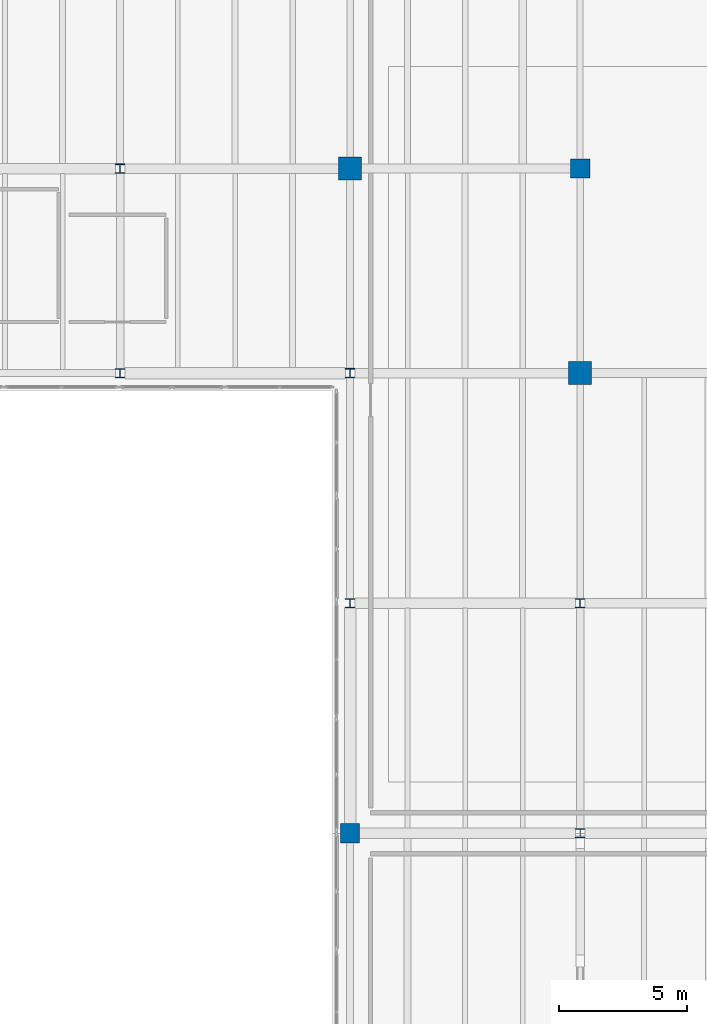
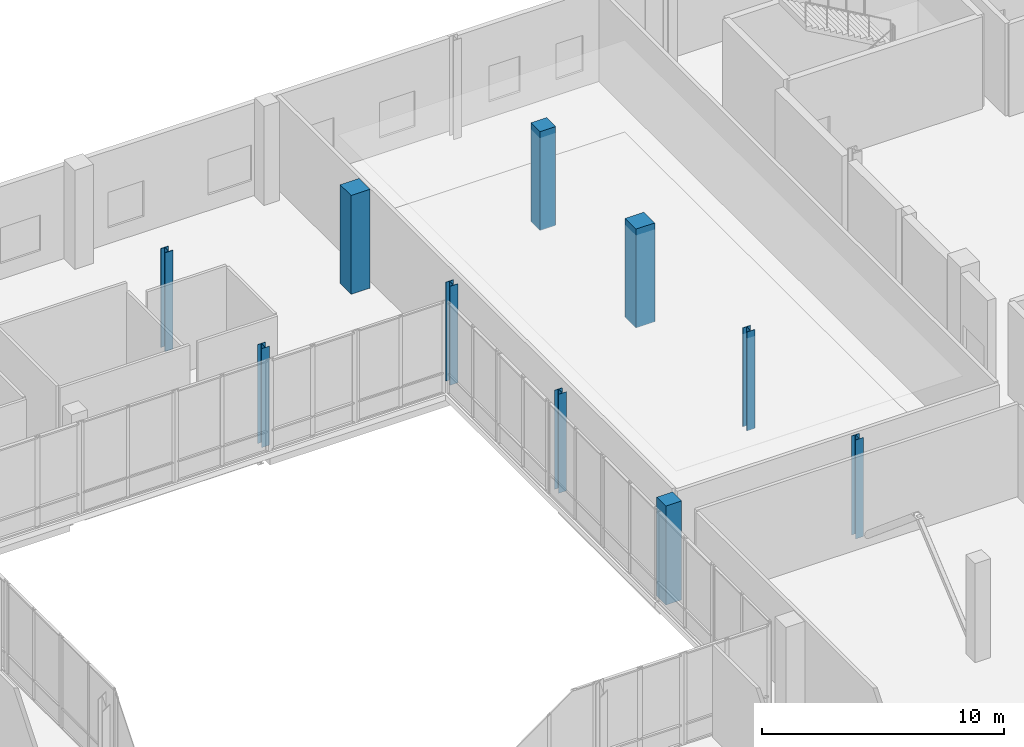
# One storey, part 8 of 81: 10 columns.
"""IFC4 building model written with IfcOpenShell, lengths in metres."""

from ifc_helpers import new_model, si_unit, direction, frame, origin, origin_2d, place, context, subcontext, project, spatial, rectangle, i_section, extrude, material, material_profile, profile_set, type_object, element, save


model = new_model("IFC4")

# Units and contexts
model_context = context("Model", 3, precision=1e-05, world=origin(), true_north=direction((0.0, 1.0)))
body_context = subcontext(model_context, "Body", "Model", "MODEL_VIEW")
ifc_project = project(units=[si_unit("LENGTHUNIT", "METRE"), si_unit("AREAUNIT", "SQUARE_METRE"), si_unit("VOLUMEUNIT", "CUBIC_METRE"), si_unit("PLANEANGLEUNIT", "RADIAN"), si_unit("MASSUNIT", "GRAM", prefix="KILO")], contexts=[model_context])

# Site, building, storey
site_placement = place(None, origin())
site = spatial("IfcSite", under=ifc_project, at=site_placement, CompositionType="ELEMENT")
building_placement = place(site_placement, origin())
building = spatial("IfcBuilding", under=site, at=building_placement, Name="Trimount Lyric Opera House", CompositionType="ELEMENT")
storey_placement = place(building_placement, frame((0.0, 0.0, 5.0)))
storey = spatial("IfcBuildingStorey", under=building, at=storey_placement, Name="L01", CompositionType="ELEMENT", Elevation=5.0)

# Columns
ifc_material_1 = material(Name="Steel ASTM A992 Grade 50", Category="steel")
ifc_material_profile_1 = material_profile(ifc_material_1, i_section(OverallWidth=0.373046875, OverallDepth=0.367919921875, WebThickness=0.014892578125, FlangeThickness=0.02392578125, FilletRadius=0.014892578125, at=origin_2d()), Name="W14X120")
ifc_profile_set_1 = profile_set([ifc_material_profile_1], Name="Steel ASTM A992 Grade 50")
column_type_1 = type_object("IfcColumnType", Name="C-04", PredefinedType="COLUMN", material=ifc_profile_set_1)
for number, where, z_axis, x_axis, name in (
    (1, (36.0, 110.0, 0.0), (0.0, 0.0, 1.0), (1.0, 0.0, 0.0), "L01 column 5/N"),
    (2, (45.0, 102.0, 0.0), (0.0, 0.0, 1.0), (1.0, 0.0, 0.0), "L01 column 6/M"),
    (3, (54.0, 93.0, 0.0), (0.0, 0.0, 1.0), (1.0, 0.0, 0.0), "L01 column 7/L"),
):
    element("IfcColumn", number, at=place(storey_placement, frame(where, z_axis=z_axis, x_axis=x_axis)), inside=storey, type_object=column_type_1, Name=name, PredefinedType="COLUMN", context=body_context, shape_type="SweptSolid", body=[
        extrude(i_section(OverallWidth=0.373046875, OverallDepth=0.367919921875, WebThickness=0.014892578125, FlangeThickness=0.02392578125, FilletRadius=0.014892578125, at=origin_2d()), origin(), (0.0, 0.0, 1.0), 5.0),
    ])
ifc_material_2 = material(Name="Steel ASTM A992 Grade 50", Category="steel")
ifc_material_profile_2 = material_profile(ifc_material_2, i_section(OverallWidth=0.367919921875, OverallDepth=0.35595703125, WebThickness=0.01123046875, FlangeThickness=0.01806640625, FilletRadius=0.014892578125, at=origin_2d()), Name="W14X90")
ifc_profile_set_2 = profile_set([ifc_material_profile_2], Name="Steel ASTM A992 Grade 50")
column_type_2 = type_object("IfcColumnType", Name="C-09", PredefinedType="COLUMN", material=ifc_profile_set_2)
for number, where, z_axis, x_axis, name in (
    (4, (36.0, 102.0, 0.0), (0.0, 0.0, 1.0), (1.0, 0.0, 0.0), "L01 column 5/M"),
    (5, (45.0, 93.0, 0.0), (0.0, 0.0, 1.0), (1.0, 0.0, 0.0), "L01 column 6/L"),
    (6, (54.0, 84.0, 0.0), (0.0, 0.0, 1.0), (1.0, 0.0, 0.0), "L01 column 7/K"),
):
    element("IfcColumn", number, at=place(storey_placement, frame(where, z_axis=z_axis, x_axis=x_axis)), inside=storey, type_object=column_type_2, Name=name, PredefinedType="COLUMN", context=body_context, shape_type="SweptSolid", body=[
        extrude(i_section(OverallWidth=0.367919921875, OverallDepth=0.35595703125, WebThickness=0.01123046875, FlangeThickness=0.01806640625, FilletRadius=0.014892578125, at=origin_2d()), origin(), (0.0, 0.0, 1.0), 5.0),
    ])
ifc_material_3 = material(Name="Concrete C50/60", Category="concrete")
ifc_material_profile_3 = material_profile(ifc_material_3, rectangle(XDim=0.89990234375, YDim=0.89990234375, at=origin_2d()), Name="RC900X900")
ifc_profile_set_3 = profile_set([ifc_material_profile_3], Name="Concrete C50/60")
column_type_3 = type_object("IfcColumnType", Name="C-13", PredefinedType="COLUMN", material=ifc_profile_set_3)
for number, where, z_axis, x_axis, name in (
    (7, (45.0, 110.0, 0.0), (0.0, 0.0, 1.0), (1.0, 0.0, 0.0), "L01 column 6/N"),
    (8, (54.0, 102.0, 0.0), (0.0, 0.0, 1.0), (1.0, 0.0, 0.0), "L01 column 7/M"),
):
    element("IfcColumn", number, at=place(storey_placement, frame(where, z_axis=z_axis, x_axis=x_axis)), inside=storey, type_object=column_type_3, Name=name, PredefinedType="COLUMN", context=body_context, shape_type="SweptSolid", body=[
        extrude(rectangle(XDim=0.89990234375, YDim=0.89990234375, at=origin_2d()), origin(), (0.0, 0.0, 1.0), 5.0),
    ])
ifc_material_4 = material(Name="Concrete C40/50", Category="concrete")
ifc_material_profile_4 = material_profile(ifc_material_4, rectangle(XDim=0.75, YDim=0.75, at=origin_2d()), Name="RC750X750")
ifc_profile_set_4 = profile_set([ifc_material_profile_4], Name="Concrete C40/50")
column_type_4 = type_object("IfcColumnType", Name="C-15", PredefinedType="COLUMN", material=ifc_profile_set_4)
for number, where, z_axis, x_axis, name in (
    (9, (45.0, 84.0, 0.0), (0.0, 0.0, 1.0), (1.0, 0.0, 0.0), "L01 column 6/K"),
    (10, (54.0, 110.0, 0.0), (0.0, 0.0, 1.0), (1.0, 0.0, 0.0), "L01 column 7/N"),
):
    element("IfcColumn", number, at=place(storey_placement, frame(where, z_axis=z_axis, x_axis=x_axis)), inside=storey, type_object=column_type_4, Name=name, PredefinedType="COLUMN", context=body_context, shape_type="SweptSolid", body=[
        extrude(rectangle(XDim=0.75, YDim=0.75, at=origin_2d()), origin(), (0.0, 0.0, 1.0), 5.0),
    ])

save(model, "model.ifc")
